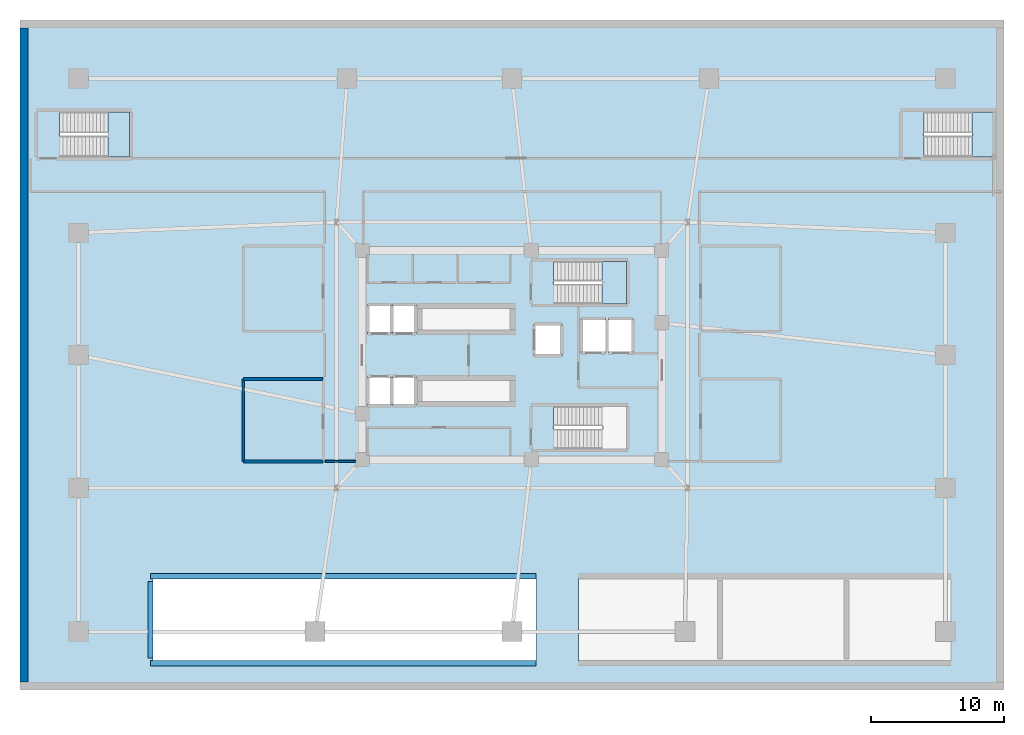
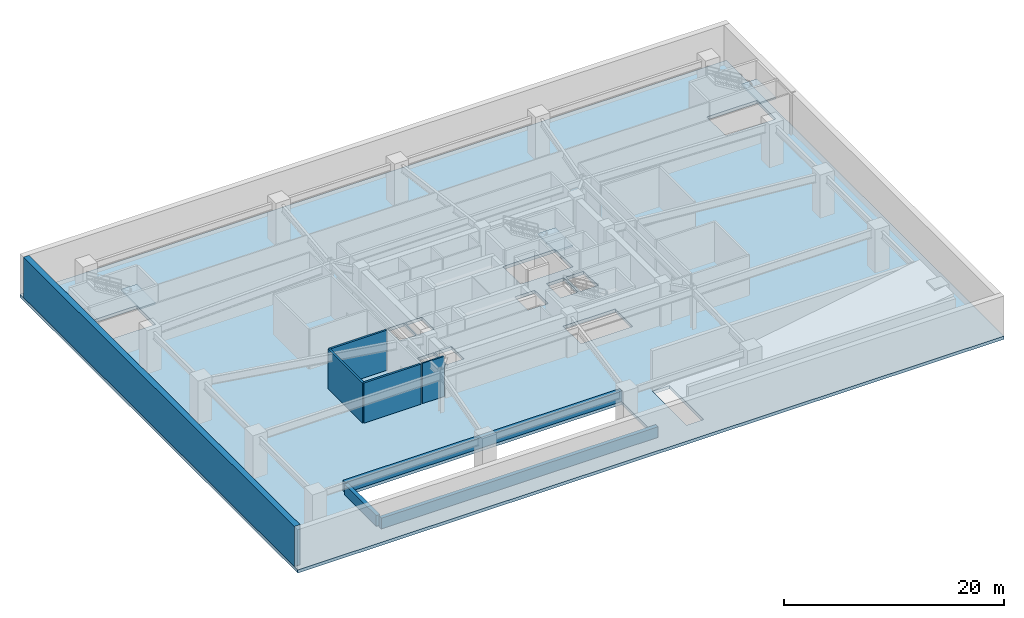
# One storey, part 2 of 7: 8 walls, 4 slabs, 3 elements without a shape of their own.
"""IFC4 building model written with IfcOpenShell, lengths in metres."""

from ifc_helpers import new_model, si_unit, direction, frame, frame_2d, origin, place, context, subcontext, project, spatial, polyline, rectangle, outline, extrude, material, layer, layer_set, type_object, element, aggregate, save


model = new_model("IFC4")

# Units and contexts
model_context = context("Model", 3, precision=1e-05, world=origin(), true_north=direction((0.0, 1.0)))
body_context = subcontext(model_context, "Body", "Model", "MODEL_VIEW")
ifc_project = project(units=[si_unit("LENGTHUNIT", "METRE"), si_unit("AREAUNIT", "SQUARE_METRE"), si_unit("VOLUMEUNIT", "CUBIC_METRE"), si_unit("PLANEANGLEUNIT", "RADIAN"), si_unit("MASSUNIT", "GRAM", prefix="KILO")], contexts=[model_context])

# Site, building, storey
site_placement = place(None, origin())
site = spatial("IfcSite", under=ifc_project, at=site_placement, CompositionType="ELEMENT")
building_placement = place(site_placement, origin())
building = spatial("IfcBuilding", under=site, at=building_placement, Name="Zulverin Broadcast Headquarters", CompositionType="ELEMENT")
storey_placement = place(building_placement, frame((0.0, 0.0, -4.800048828125)))
storey = spatial("IfcBuildingStorey", under=building, at=storey_placement, Name="B1", CompositionType="ELEMENT", Elevation=-4.800048828125)

# Slab
ifc_material_1 = material(Name="Concrete C40/50", Category="concrete")
ifc_layer_1 = layer(ifc_material_1, 0.35009765625, Name="Concrete C40/50", Category="concrete")
ifc_layer_set_1 = layer_set([ifc_layer_1], Name="Concrete C40/50")
slab_type_1 = type_object("IfcSlabType", Name="SLB-POD-350", PredefinedType="FLOOR", material=ifc_layer_set_1)
slab_1_placement = place(storey_placement, frame((0.0, 0.0, -0.349853515625)))
element("IfcSlab", 1, at=slab_1_placement, inside=storey, type_object=slab_type_1, Name="B1 Main Structural Floor Slab", PredefinedType="FLOOR", context=body_context, shape_type="SweptSolid", body=[
    extrude(outline(polyline([(0.0, 0.0), (74.0, 0.0), (74.0, 50.39990234375), (0.0, 50.39990234375), (0.0, 0.0)]), holes=[polyline([(40.155029296875, 30.75), (40.13037109375, 30.75), (40.13037109375, 32.25), (45.60009765625, 32.25), (45.60009765625, 29.050048828125), (40.155029296875, 29.050048828125), (40.155029296875, 30.75)]), polyline([(40.155029296875, 19.85009765625), (40.13037109375, 19.85009765625), (40.13037109375, 21.35009765625), (45.60009765625, 21.35009765625), (45.60009765625, 18.14990234375), (40.155029296875, 18.14990234375), (40.155029296875, 19.85009765625)]), polyline([(2.9951171875, 41.89990234375), (2.970458984375, 41.89990234375), (2.970458984375, 43.5), (8.25, 43.5), (8.25, 40.10009765625), (2.9951171875, 40.10009765625), (2.9951171875, 41.89990234375)]), polyline([(67.9951171875, 41.89990234375), (67.970458984375, 41.89990234375), (67.970458984375, 43.5), (73.25, 43.5), (73.25, 40.10009765625), (67.9951171875, 40.10009765625), (67.9951171875, 41.89990234375)]), polyline([(26.14990234375, 26.800048828125), (27.89990234375, 26.800048828125), (27.89990234375, 29.0), (26.14990234375, 29.0), (26.14990234375, 26.800048828125)]), polyline([(28.02001953125, 26.800048828125), (29.77001953125, 26.800048828125), (29.77001953125, 29.0), (28.02001953125, 29.0), (28.02001953125, 26.800048828125)]), polyline([(26.14990234375, 21.39990234375), (27.89990234375, 21.39990234375), (27.89990234375, 23.60009765625), (26.14990234375, 23.60009765625), (26.14990234375, 21.39990234375)]), polyline([(28.02001953125, 21.39990234375), (29.77001953125, 21.39990234375), (29.77001953125, 23.60009765625), (28.02001953125, 23.60009765625), (28.02001953125, 21.39990234375)]), polyline([(42.199951171875, 25.35009765625), (44.050048828125, 25.35009765625), (44.050048828125, 27.949951171875), (42.199951171875, 27.949951171875), (42.199951171875, 25.35009765625)]), polyline([(44.25, 25.35009765625), (46.10009765625, 25.35009765625), (46.10009765625, 27.949951171875), (44.25, 27.949951171875), (44.25, 25.35009765625)]), polyline([(38.64990234375, 25.14990234375), (40.75, 25.14990234375), (40.75, 27.550048828125), (38.64990234375, 27.550048828125), (38.64990234375, 25.14990234375)]), polyline([(10.0, 2.199951171875), (38.7998046875, 2.199951171875), (38.7998046875, 8.39990234375), (10.0, 8.39990234375), (10.0, 2.199951171875)]), polyline([(42.00048828125, 2.199951171875), (43.800048828125, 2.199951171875), (43.800048828125, 8.39990234375), (42.00048828125, 8.39990234375), (42.00048828125, 2.199951171875)])]), origin(), (0.0, 0.0, 1.0), 0.349853515625),
])

# Stair, slab
stair_type_1 = type_object("IfcStairType", Name="ST-CORE-1500", PredefinedType="HALF_TURN_STAIR", material=ifc_material_1)
stair_1_placement = place(storey_placement, origin())
stair_1 = element("IfcStair", 2, at=stair_1_placement, inside=storey, type_object=stair_type_1, Name="B1 Core Exit Stair ST-1", PredefinedType="HALF_TURN_STAIR")
ifc_layer_2 = layer(ifc_material_1, 0.199951171875, Name="Concrete C40/50", Category="concrete")
ifc_layer_set_2 = layer_set([ifc_layer_2], Name="Concrete C40/50")
slab_type_2 = type_object("IfcSlabType", Name="SLB-ST-LND200", PredefinedType="LANDING", material=ifc_layer_set_2)
slab_2_placement = place(storey_placement, frame((0.0, 0.0, 2.199951171875)))
slab_2 = element("IfcSlab", 3, at=slab_2_placement, type_object=slab_type_2, Name="ST-1 landing 1", PredefinedType="LANDING", context=body_context, shape_type="SweptSolid", body=[
    extrude(outline(polyline([(43.77001953125, 29.050048828125), (45.60009765625, 29.050048828125), (45.60009765625, 32.25), (43.77001953125, 32.25), (43.77001953125, 29.050048828125)])), origin(), (0.0, 0.0, 1.0), 0.2001953125),
])
aggregate(stair_1, [slab_2])

stair_type_2 = type_object("IfcStairType", Name="ST-POD-1600", PredefinedType="HALF_TURN_STAIR", material=ifc_material_1)
stair_2_placement = place(storey_placement, origin())
stair_2 = element("IfcStair", 4, at=stair_2_placement, inside=storey, type_object=stair_type_2, Name="B1 Podium Exit Stair ST-3", PredefinedType="HALF_TURN_STAIR")
slab_3_placement = place(storey_placement, frame((0.0, 0.0, 2.199951171875)))
slab_3 = element("IfcSlab", 5, at=slab_3_placement, type_object=slab_type_2, Name="ST-3 landing 1", PredefinedType="LANDING", context=body_context, shape_type="SweptSolid", body=[
    extrude(outline(polyline([(6.610107421875, 40.10009765625), (8.25, 40.10009765625), (8.25, 43.5), (6.610107421875, 43.5), (6.610107421875, 40.10009765625)])), origin(), (0.0, 0.0, 1.0), 0.2001953125),
])
aggregate(stair_2, [slab_3])

stair_3_placement = place(storey_placement, origin())
stair_3 = element("IfcStair", 6, at=stair_3_placement, inside=storey, type_object=stair_type_2, Name="B1 Podium Exit Stair ST-4", PredefinedType="HALF_TURN_STAIR")
slab_4_placement = place(storey_placement, frame((0.0, 0.0, 2.199951171875)))
slab_4 = element("IfcSlab", 7, at=slab_4_placement, type_object=slab_type_2, Name="ST-4 landing 1", PredefinedType="LANDING", context=body_context, shape_type="SweptSolid", body=[
    extrude(outline(polyline([(71.610107421875, 40.10009765625), (73.25, 40.10009765625), (73.25, 43.5), (71.610107421875, 43.5), (71.610107421875, 40.10009765625)])), origin(), (0.0, 0.0, 1.0), 0.2001953125),
])
aggregate(stair_3, [slab_4])

# Walls
ifc_material_2 = material(Name="Concrete C50/60", Category="concrete")
ifc_layer_3 = layer(ifc_material_2, 0.39990234375, Name="Concrete C50/60", Category="concrete")
ifc_layer_set_3 = layer_set([ifc_layer_3], Name="Concrete C50/60")
wall_type_1 = type_object("IfcWallType", Name="WL-BAR-400", PredefinedType="SOLIDWALL", material=ifc_layer_set_3)
for number, where, z_axis, x_axis, name in (
    (8, (9.820068359375, 2.02001953125, 0.0), (0.0, 0.0, 1.0), (1.0, 0.0, 0.0), "B1 Ramp Well Crash Barrier Wall S"),
    (9, (9.820068359375, 8.580078125, 0.0), (0.0, 0.0, 1.0), (1.0, 0.0, 0.0), "B1 Ramp Well Crash Barrier Wall N"),
):
    element("IfcWall", number, at=place(storey_placement, frame(where, z_axis=z_axis, x_axis=x_axis)), inside=storey, type_object=wall_type_1, Name=name, PredefinedType="SOLIDWALL", context=body_context, shape_type="SweptSolid", body=[
        extrude(rectangle(XDim=28.97998046875, YDim=0.39990234375, at=frame_2d((14.489990234375, 0.0))), origin(), (0.0, 0.0, 1.0), 1.179931640625),
    ])
wall_1_placement = place(storey_placement, frame((9.820068359375, 2.419921875, 0.0), z_axis=(0.0, 0.0, 1.0), x_axis=(0.0, 1.0, 0.0)))
element("IfcWall", 10, at=wall_1_placement, inside=storey, type_object=wall_type_1, Name="B1 Ramp Well West End Barrier Wall", PredefinedType="SOLIDWALL", context=body_context, shape_type="SweptSolid", body=[
    extrude(rectangle(XDim=5.760009765625, YDim=0.39990234375, at=frame_2d((2.8798828125, 0.0))), origin(), (0.0, 0.0, 1.0), 1.179931640625),
])
ifc_layer_4 = layer(ifc_material_1, 0.199951171875, Name="Concrete C40/50", Category="concrete")
ifc_layer_set_4 = layer_set([ifc_layer_4], Name="Concrete C40/50")
wall_type_2 = type_object("IfcWallType", Name="WL-FFL-200", PredefinedType="SOLIDWALL", material=ifc_layer_set_4)
for number, where, z_axis, x_axis, name in (
    (11, (16.800048828125, 17.199951171875, 0.0), (0.0, 0.0, 1.0), (1.0, 0.0, 0.0), "B1 Main HV Switchgear & Transformer Room S Wall"),
    (12, (16.800048828125, 23.39990234375, 0.0), (0.0, 0.0, 1.0), (1.0, 0.0, 0.0), "B1 Main HV Switchgear & Transformer Room N Wall"),
):
    element("IfcWall", number, at=place(storey_placement, frame(where, z_axis=z_axis, x_axis=x_axis)), inside=storey, type_object=wall_type_2, Name=name, PredefinedType="SOLIDWALL", context=body_context, shape_type="SweptSolid", body=[
        extrude(rectangle(XDim=6.0, YDim=0.199951171875, at=frame_2d((3.0, 0.0))), origin(), (0.0, 0.0, 1.0), 4.449951171875),
    ])
wall_2_placement = place(storey_placement, frame((16.800048828125, 17.199951171875, 0.0), z_axis=(0.0, 0.0, 1.0), x_axis=(0.0, 1.0, 0.0)))
element("IfcWall", 13, at=wall_2_placement, inside=storey, type_object=wall_type_2, Name="B1 Main HV Switchgear & Transformer Room W Wall", PredefinedType="SOLIDWALL", context=body_context, shape_type="SweptSolid", body=[
    extrude(rectangle(XDim=6.199951171875, YDim=0.199951171875, at=frame_2d((3.10009765625, 0.0))), origin(), (0.0, 0.0, 1.0), 4.449951171875),
])
ifc_material_3 = material(Name="Fire-rated gypsum stud partition", Category="gypsum")
ifc_layer_5 = layer(ifc_material_3, 0.14990234375, Name="Fire-rated gypsum stud partition", Category="gypsum")
ifc_layer_set_5 = layer_set([ifc_layer_5], Name="Fire-rated gypsum stud partition")
wall_type_3 = type_object("IfcWallType", Name="WL-PART-150", PredefinedType="PARTITIONING", material=ifc_layer_set_5)
wall_3_placement = place(storey_placement, frame((22.9599609375, 17.199951171875, 0.0), z_axis=(0.0, 0.0, 1.0), x_axis=(1.0, 0.0, 0.0)))
element("IfcWall", 14, at=wall_3_placement, inside=storey, type_object=wall_type_3, Name="B1 Gallery Partition Wall CG-09", PredefinedType="PARTITIONING", context=body_context, shape_type="SweptSolid", body=[
    extrude(rectangle(XDim=2.300048828125, YDim=0.14990234375, at=frame_2d((1.14990234375, 0.0))), origin(), (0.0, 0.0, 1.0), 4.449951171875),
])
ifc_layer_6 = layer(ifc_material_1, 0.60009765625, Name="Concrete C40/50", Category="concrete")
ifc_layer_set_6 = layer_set([ifc_layer_6], Name="Concrete C40/50")
wall_type_4 = type_object("IfcWallType", Name="WL-RET-600", PredefinedType="SOLIDWALL", material=ifc_layer_set_6)
wall_4_placement = place(storey_placement, frame((0.300048828125, 0.60009765625, 0.0), z_axis=(0.0, 0.0, 1.0), x_axis=(0.0, 1.0, 0.0)))
element("IfcWall", 15, at=wall_4_placement, inside=storey, type_object=wall_type_4, Name="B1 Basement Retaining Wall W", PredefinedType="SOLIDWALL", context=body_context, shape_type="SweptSolid", body=[
    extrude(rectangle(XDim=49.199951171875, YDim=0.60009765625, at=frame_2d((24.60009765625, 0.0))), origin(), (0.0, 0.0, 1.0), 4.449951171875),
])

save(model, "model.ifc")
